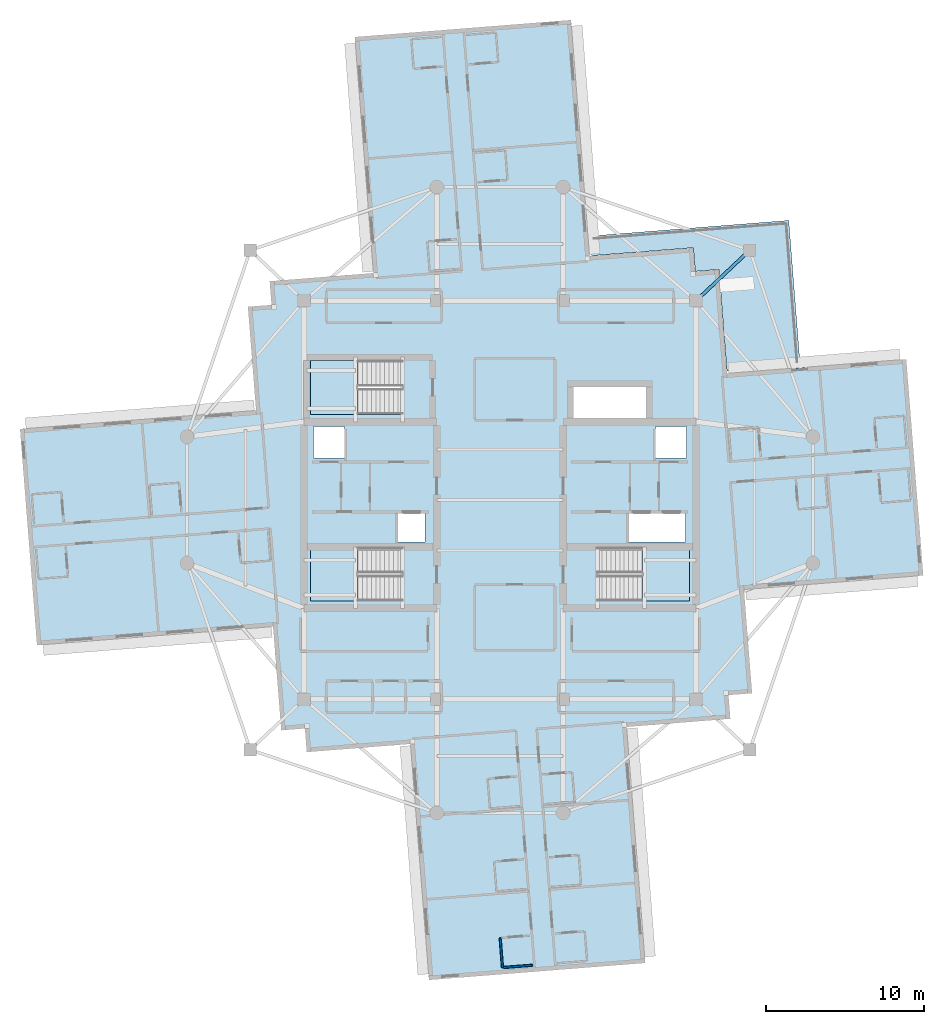
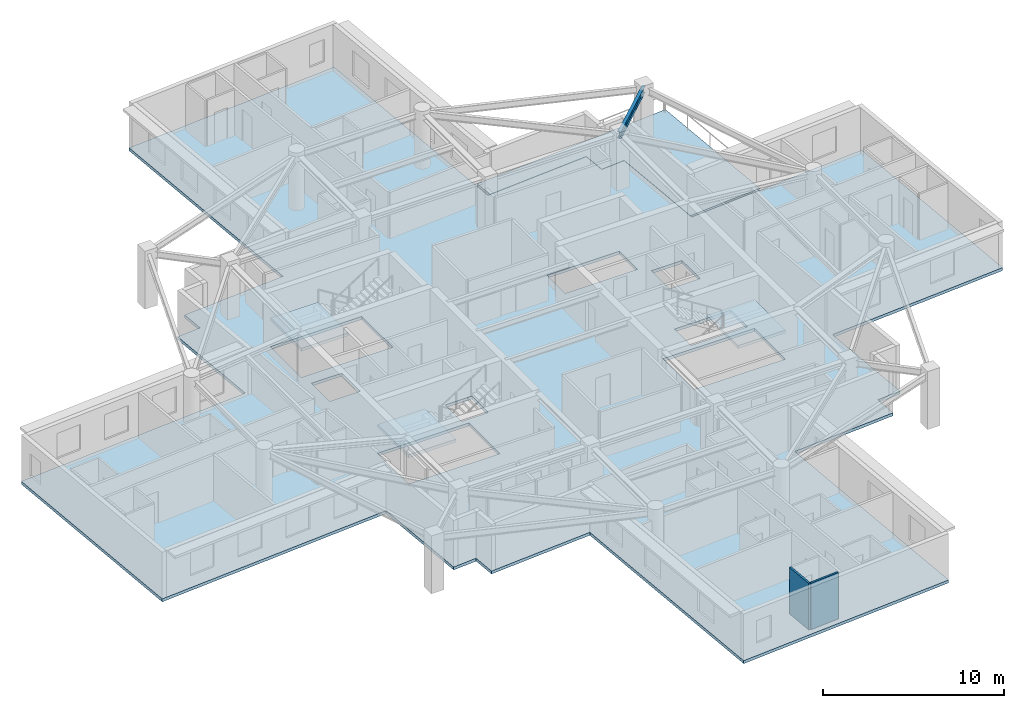
# One storey, part 2 of 13: 5 slabs, 2 walls, 1 beam, 3 elements without a shape of their own.
"""IFC4 building model written with IfcOpenShell, lengths in metres."""

from ifc_helpers import new_model, si_unit, direction, frame, frame_2d, origin, origin_2d, place, context, subcontext, project, spatial, polyline, rectangle, i_section, outline, extrude, material, layer, layer_set, material_profile, profile_set, type_object, element, aggregate, save


model = new_model("IFC4")

# Units and contexts
model_context = context("Model", 3, precision=1e-05, world=origin(), true_north=direction((0.0, 1.0)))
body_context = subcontext(model_context, "Body", "Model", "MODEL_VIEW")
ifc_project = project(units=[si_unit("LENGTHUNIT", "METRE"), si_unit("AREAUNIT", "SQUARE_METRE"), si_unit("VOLUMEUNIT", "CUBIC_METRE"), si_unit("PLANEANGLEUNIT", "RADIAN"), si_unit("MASSUNIT", "GRAM", prefix="KILO")], contexts=[model_context])

# Site, building, storey
site_placement = place(None, origin())
site = spatial("IfcSite", under=ifc_project, at=site_placement, CompositionType="ELEMENT")
building_placement = place(site_placement, origin())
building = spatial("IfcBuilding", under=site, at=building_placement, Name="Qingluan Cross Belvedere", CompositionType="ELEMENT")
storey_placement = place(building_placement, frame((0.0, 0.0, 285.0)))
storey = spatial("IfcBuildingStorey", under=building, at=storey_placement, Name="L71", CompositionType="ELEMENT", Elevation=285.0)

# Beam
ifc_material_1 = material(Name="Steel Q420GJB", Category="steel")
ifc_material_profile = material_profile(ifc_material_1, i_section(OverallWidth=0.199951171875, OverallDepth=0.449951171875, WebThickness=0.009033203125, FlangeThickness=0.013916015625, FilletRadius=0.01611328125, at=origin_2d()), Name="HN450x200x9x14")
ifc_profile_set = profile_set([ifc_material_profile], Name="Steel Q420GJB")
beam_type = type_object("IfcBeamType", Name="Steel_Beam_HN450x200x9x14", PredefinedType="JOIST", material=ifc_profile_set)
beam_placement = place(storey_placement, frame((12.39990234375, 12.60009765625, 3.425048828125), z_axis=(0.728219948308, 0.685343495546, 0.0), x_axis=(-0.685343495546, 0.728219948308, 0.0)))
element("IfcBeam", 1, at=beam_placement, inside=storey, type_object=beam_type, Name="Corner beam 1 L71-RNE", PredefinedType="JOIST", context=body_context, shape_type="SweptSolid", body=[
    extrude(i_section(OverallWidth=0.199951171875, OverallDepth=0.449951171875, WebThickness=0.009033203125, FlangeThickness=0.013916015625, FilletRadius=0.01611328125, at=origin_2d()), origin(), (0.0, 0.0, 1.0), 4.669189453125),
])

# Slab
ifc_material_2 = material(Name="Concrete C40", Category="concrete")
ifc_layer_1 = layer(ifc_material_2, 0.199951171875, Name="FloorSlab_200")
ifc_layer_set_1 = layer_set([ifc_layer_1], Name="Concrete C40")
slab_type_1 = type_object("IfcSlabType", Name="FloorSlab_200", PredefinedType="FLOOR", material=ifc_layer_set_1)
slab_1_placement = place(storey_placement, frame((0.0, 0.0, -0.199951171875)))
element("IfcSlab", 2, at=slab_1_placement, inside=storey, type_object=slab_type_1, Name="Structural floor slab L71", PredefinedType="FLOOR", context=body_context, shape_type="SweptSolid", body=[
    extrude(outline(polyline([(9.186279296875, -29.28955078125), (8.010986328125, -14.355712890625), (14.57080078125, -13.839599609375), (14.453125, -12.343994140625), (15.948486328125, -12.226318359375), (15.43212890625, -5.666748046875), (26.777099609375, -4.773681640625), (25.70068359375, 8.90380859375), (14.355712890625, 8.010986328125), (13.839599609375, 14.57080078125), (12.343994140625, 14.453125), (12.226318359375, 15.948486328125), (5.666748046875, 15.43212890625), (4.491455078125, 30.365966796875), (-9.186279296875, 29.28955078125), (-8.010986328125, 14.355712890625), (-14.57080078125, 13.839599609375), (-14.453125, 12.343994140625), (-15.948486328125, 12.226318359375), (-15.43212890625, 5.666748046875), (-30.365966796875, 4.491455078125), (-29.28955078125, -9.186279296875), (-14.355712890625, -8.010986328125), (-13.839599609375, -14.57080078125), (-12.343994140625, -14.453125), (-12.226318359375, -15.948486328125), (-5.666748046875, -15.43212890625), (-4.491455078125, -30.365966796875), (9.186279296875, -29.28955078125)]), holes=[polyline([(-12.0, -3.0), (-6.179931640625, -3.0), (-6.179931640625, -6.39990234375), (-12.0, -6.39990234375), (-12.0, -3.0)]), polyline([(6.179931640625, -3.0), (12.0, -3.0), (12.0, -6.39990234375), (6.179931640625, -6.39990234375), (6.179931640625, -3.0)]), polyline([(-12.0, 8.820068359375), (-6.179931640625, 8.820068359375), (-6.179931640625, 5.419921875), (-12.0, 5.419921875), (-12.0, 8.820068359375)]), polyline([(-11.800048828125, 4.64990234375), (-9.85009765625, 4.64990234375), (-9.85009765625, 2.64990234375), (-11.800048828125, 2.64990234375), (-11.800048828125, 4.64990234375)]), polyline([(9.85009765625, 4.64990234375), (11.800048828125, 4.64990234375), (11.800048828125, 2.64990234375), (9.85009765625, 2.64990234375), (9.85009765625, 4.64990234375)]), polyline([(-6.449951171875, -0.840087890625), (-4.75, -0.840087890625), (-4.75, -2.659912109375), (-6.449951171875, -2.659912109375), (-6.449951171875, -0.840087890625)]), polyline([(8.14990234375, -0.840087890625), (11.75, -0.840087890625), (11.75, -2.659912109375), (8.14990234375, -2.659912109375), (8.14990234375, -0.840087890625)]), polyline([(4.64990234375, 7.14990234375), (9.25, 7.14990234375), (9.25, 5.14990234375), (4.64990234375, 5.14990234375), (4.64990234375, 7.14990234375)])]), origin(), (0.0, 0.0, 1.0), 0.199951171875),
])

# Stair, slab
ifc_material_3 = material(Name="Concrete C40", Category="concrete")
stair_type = type_object("IfcStairType", Name="CoreDoglegStair_1620", PredefinedType="HALF_TURN_STAIR", material=ifc_material_3)
stair_1_placement = place(storey_placement, origin())
stair_1 = element("IfcStair", 3, at=stair_1_placement, inside=storey, type_object=stair_type, Name="L71 ST1", PredefinedType="HALF_TURN_STAIR")
ifc_material_4 = material(Name="Concrete C40", Category="concrete")
ifc_layer_2 = layer(ifc_material_4, 0.179931640625, Name="StairLandingSlab_180")
ifc_layer_set_2 = layer_set([ifc_layer_2], Name="Concrete C40")
slab_type_2 = type_object("IfcSlabType", Name="StairLandingSlab_180", PredefinedType="LANDING", material=ifc_layer_set_2)
slab_2_placement = place(storey_placement, frame((0.0, 0.0, 1.75)))
slab_2 = element("IfcSlab", 4, at=slab_2_placement, type_object=slab_type_2, Name="ST1 landing 1", PredefinedType="LANDING", context=body_context, shape_type="SweptSolid", body=[
    extrude(outline(polyline([(-8.97998046875, -3.0), (-12.0, -3.0), (-12.0, -6.39990234375), (-8.97998046875, -6.39990234375), (-8.97998046875, -3.0)])), origin(), (0.0, 0.0, 1.0), 0.199951171875),
])
aggregate(stair_1, [slab_2])

stair_2_placement = place(storey_placement, origin())
stair_2 = element("IfcStair", 5, at=stair_2_placement, inside=storey, type_object=stair_type, Name="L71 ST2", PredefinedType="HALF_TURN_STAIR")
slab_3_placement = place(storey_placement, frame((0.0, 0.0, 1.75)))
slab_3 = element("IfcSlab", 6, at=slab_3_placement, type_object=slab_type_2, Name="ST2 landing 1", PredefinedType="LANDING", context=body_context, shape_type="SweptSolid", body=[
    extrude(outline(polyline([(8.97998046875, -6.39990234375), (12.0, -6.39990234375), (12.0, -3.0), (8.97998046875, -3.0), (8.97998046875, -6.39990234375)])), origin(), (0.0, 0.0, 1.0), 0.199951171875),
])
aggregate(stair_2, [slab_3])

stair_3_placement = place(storey_placement, origin())
stair_3 = element("IfcStair", 7, at=stair_3_placement, inside=storey, type_object=stair_type, Name="L71 ST3", PredefinedType="HALF_TURN_STAIR")
slab_4_placement = place(storey_placement, frame((0.0, 0.0, 1.75)))
slab_4 = element("IfcSlab", 8, at=slab_4_placement, type_object=slab_type_2, Name="ST3 landing 1", PredefinedType="LANDING", context=body_context, shape_type="SweptSolid", body=[
    extrude(outline(polyline([(-8.97998046875, 8.820068359375), (-12.0, 8.820068359375), (-12.0, 5.419921875), (-8.97998046875, 5.419921875), (-8.97998046875, 8.820068359375)])), origin(), (0.0, 0.0, 1.0), 0.199951171875),
])
aggregate(stair_3, [slab_4])

# Slab
ifc_material_5 = material(Name="Concrete C40", Category="concrete")
ifc_layer_3 = layer(ifc_material_5, 0.219970703125, Name="TerraceSlab_220")
ifc_layer_set_3 = layer_set([ifc_layer_3], Name="Concrete C40")
slab_type_3 = type_object("IfcSlabType", Name="TerraceSlab_220", PredefinedType="FLOOR", material=ifc_layer_set_3)
slab_5_placement = place(storey_placement, frame((0.0, 0.0, -0.219970703125)))
element("IfcSlab", 9, at=slab_5_placement, inside=storey, type_object=slab_type_3, Name="Spiralling winter-garden terrace slab L71", PredefinedType="FLOOR", context=body_context, shape_type="SweptSolid", body=[
    extrude(outline(polyline([(5.805419921875, 15.453125), (12.231201171875, 15.957275390625), (12.353271484375, 14.4638671875), (13.838623046875, 14.580810546875), (13.84912109375, 14.573486328125), (14.354736328125, 8.1513671875), (18.990478515625, 8.51611328125), (18.2685546875, 17.68798828125), (5.70751953125, 16.69921875), (5.805419921875, 15.453125)])), origin(), (0.0, 0.0, 1.0), 0.219970703125),
])

# Walls
ifc_material_6 = material(Name="Moisture-resistant gypsum board lining")
ifc_layer_4 = layer(ifc_material_6, 0.1201171875, Name="EnsuiteWetPartition_120")
ifc_layer_set_4 = layer_set([ifc_layer_4], Name="Moisture-resistant gypsum board lining")
wall_type = type_object("IfcWallType", Name="EnsuiteWetPartition_120", PredefinedType="PARTITIONING", material=ifc_layer_set_4)
wall_1_placement = place(storey_placement, frame((0.220947265625, -29.57373046875, 0.0), z_axis=(0.0, 0.0, 1.0), x_axis=(0.996916400774, 0.0784709492, 0.0)))
element("IfcWall", 10, at=wall_1_placement, inside=storey, type_object=wall_type, Name="Partition L71:S:bw1_2", PredefinedType="PARTITIONING", context=body_context, shape_type="SweptSolid", body=[
    extrude(rectangle(XDim=1.820068359375, YDim=0.1201171875, at=frame_2d((0.91015625, 0.0))), origin(), (0.0, 0.0, 1.0), 3.1201171875),
])
wall_2_placement = place(storey_placement, frame((0.0087890625, -27.70458984375, 0.0), z_axis=(0.0, 0.0, 1.0), x_axis=(0.07843418698, -0.996919293781, 0.0)))
element("IfcWall", 11, at=wall_2_placement, inside=storey, type_object=wall_type, Name="Partition L71:S:bc1_2", PredefinedType="PARTITIONING", context=body_context, shape_type="SweptSolid", body=[
    extrude(rectangle(XDim=1.880126953125, YDim=0.1201171875, at=frame_2d((0.93994140625, 0.0))), origin(), (0.0, 0.0, 1.0), 3.1201171875),
])

save(model, "model.ifc")
